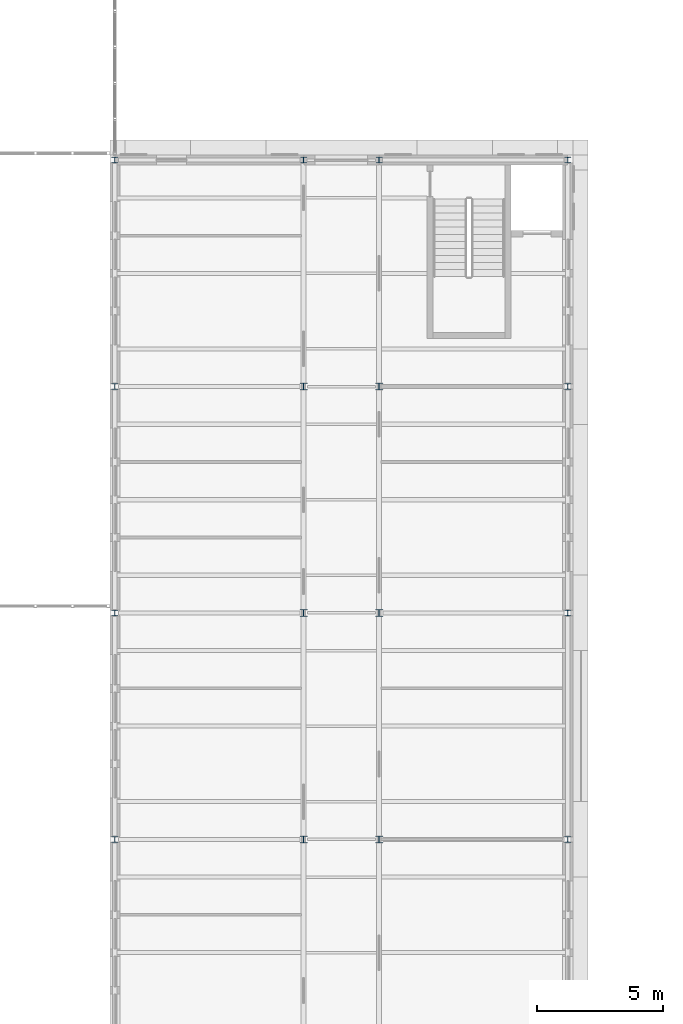
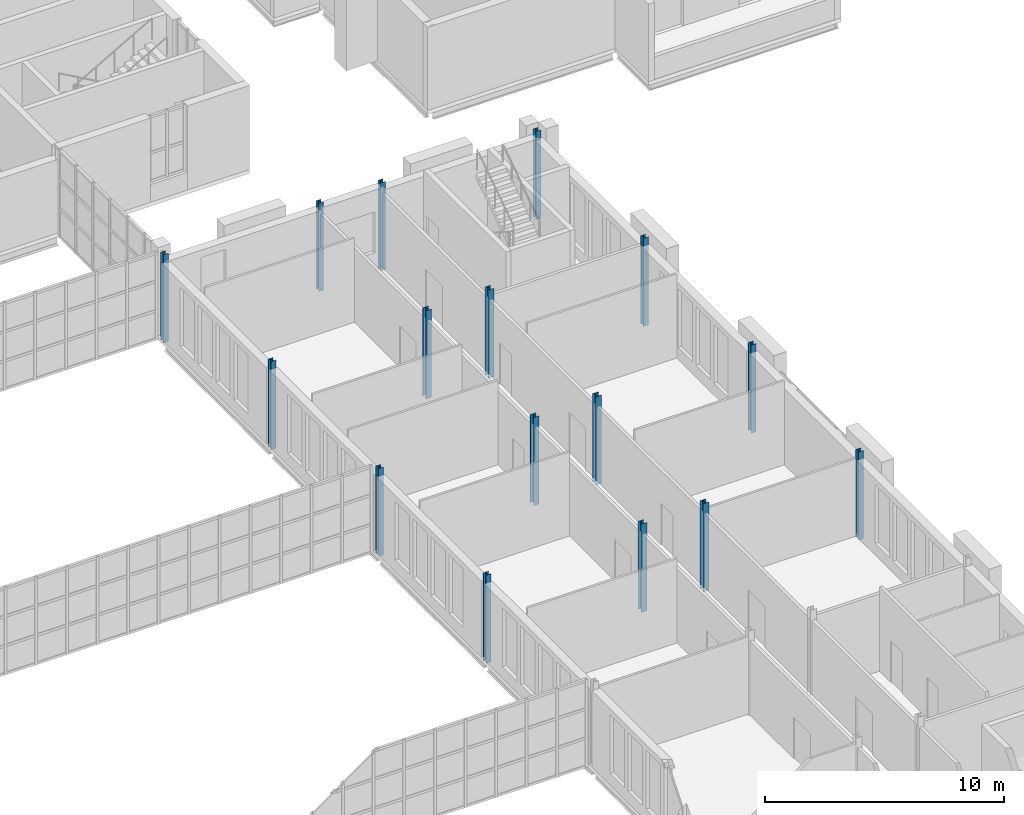
# One storey, part 8 of 131: 16 columns.
"""IFC4 building model written with IfcOpenShell, lengths in metres."""

import ifcopenshell
import ifcopenshell.guid

model = None  # the IFC model being written
_history = None  # IfcOwnerHistory: only IFC2X3 demands one
_inside = {}  # id of a spatial element -> (the spatial element, [elements in it])
_under = {}  # id of a project, library or spatial element -> (it, [spatial elements below it])
_declared = {}  # id of a project -> (the project, [libraries it declares])
_typed = {}  # id of a type object -> (the type object, [elements of that type])
_made_of = {}  # id of a material, layer set ... -> (it, [elements and type objects made of it])


def new_model(schema):
    """Start an empty IFC model of exactly this schema.

    Asked for "IFC4X3", IfcOpenShell would pick the latest addendum, in which some entities
    have other attributes; the version numbers below select the first issue.
    IFC2X3 requires an IfcOwnerHistory on every rooted entity: one is made here for all.
    """
    global model, _history
    if schema == "IFC4X3":
        model = ifcopenshell.file(schema_version=(4, 3, 0, 0))
    else:
        model = ifcopenshell.file(schema=schema)
    _inside.clear()
    _under.clear()
    _declared.clear()
    _typed.clear()
    _made_of.clear()
    _history = None
    if model.schema == "IFC2X3":
        org = make("IfcOrganization", Name="unknown")
        user = make(
            "IfcPersonAndOrganization",
            ThePerson=make("IfcPerson", FamilyName="unknown"),
            TheOrganization=org,
        )
        app = make(
            "IfcApplication",
            ApplicationDeveloper=org,
            Version="unknown",
            ApplicationFullName="unknown",
            ApplicationIdentifier="unknown",
        )
        _history = make(
            "IfcOwnerHistory",
            OwningUser=user,
            OwningApplication=app,
            ChangeAction="ADDED",
            CreationDate=0,
        )
    return model


def make(cls, **values):
    """One entity of the class cls with the attributes given. An attribute that is None is left unset."""
    return model.create_entity(
        cls, **{name: value for name, value in values.items() if value is not None}
    )


def rooted(cls, **values):
    """An entity with a GlobalId (a new one), such as an element, a storey or a relation."""
    return make(cls, GlobalId=ifcopenshell.guid.new(), OwnerHistory=_history, **values)


def si_unit(unit_type, name, prefix=None):
    """IfcSIUnit, for example si_unit("LENGTHUNIT", "METRE", prefix="MILLI")."""
    return make("IfcSIUnit", UnitType=unit_type, Prefix=prefix, Name=name)


def assignment(units):
    """IfcUnitAssignment: the units of a project."""
    return None if units is None else make("IfcUnitAssignment", Units=units)


def point(xyz):
    """IfcCartesianPoint."""
    return None if xyz is None else make("IfcCartesianPoint", Coordinates=xyz)


def direction(xyz):
    """IfcDirection."""
    return None if xyz is None else make("IfcDirection", DirectionRatios=xyz)


def frame(location, z_axis=None, x_axis=None):
    """IfcAxis2Placement3D, a coordinate frame: its origin and axes. An axis left out is left unset."""
    return make(
        "IfcAxis2Placement3D",
        Location=point(location),
        Axis=direction(z_axis),
        RefDirection=direction(x_axis),
    )


def frame_2d(location, x_axis=None):
    """IfcAxis2Placement2D, a coordinate frame in the plane: its origin and x axis."""
    return make(
        "IfcAxis2Placement2D", Location=point(location), RefDirection=direction(x_axis)
    )


def origin():
    """The frame at (0, 0, 0) with its axes left unset."""
    return frame((0.0, 0.0, 0.0))


def origin_2d():
    """The frame at (0, 0) in the plane with its x axis left unset."""
    return frame_2d((0.0, 0.0))


def place(relative_to, where):
    """IfcLocalPlacement: puts the frame where relative to a parent placement (None: the world)."""
    return make(
        "IfcLocalPlacement", PlacementRelTo=relative_to, RelativePlacement=where
    )


def context(
    kind, dimensions, precision=None, world=None, true_north=None, identifier=None
):
    """IfcGeometricRepresentationContext, for example the 3D "Model" context."""
    return make(
        "IfcGeometricRepresentationContext",
        ContextIdentifier=identifier,
        ContextType=kind,
        CoordinateSpaceDimension=dimensions,
        Precision=precision,
        WorldCoordinateSystem=world,
        TrueNorth=true_north,
    )


def subcontext(parent, identifier, kind, view, scale=None):
    """IfcGeometricRepresentationSubContext, for example "Body" below "Model"."""
    return make(
        "IfcGeometricRepresentationSubContext",
        ContextIdentifier=identifier,
        ContextType=kind,
        ParentContext=parent,
        TargetScale=scale,
        TargetView=view,
    )


def project(units=None, contexts=None):
    """IfcProject with its units and contexts."""
    return rooted(
        "IfcProject",
        Name="project",
        RepresentationContexts=contexts,
        UnitsInContext=assignment(units),
    )


def spatial(cls, under=None, at=None, **own):
    """A site, building, storey or space (cls), placed at a placement, below another one or the project."""
    s = rooted(cls, ObjectPlacement=at, **own)
    if under is not None:
        _under.setdefault(under.id(), (under, []))[1].append(s)
    return s


def profile(cls, at=None, kind="AREA", **sizes):
    """A parametric profile (cls). Its sizes go by their IFC names, for example OverallWidth=200.0."""
    return make(cls, ProfileType=kind, Position=at, **sizes)


def i_section(**sizes):
    """IfcIShapeProfileDef."""
    return profile("IfcIShapeProfileDef", **sizes)


def extrude(swept, where, along, depth):
    """IfcExtrudedAreaSolid: the profile swept, set in the frame where, extruded along a direction by depth."""
    return make(
        "IfcExtrudedAreaSolid",
        SweptArea=swept,
        Position=where,
        ExtrudedDirection=direction(along),
        Depth=depth,
    )


def shape(context_of_items, identifier, shape_type, items):
    """IfcShapeRepresentation: the items that make up one representation, for example the "Body"."""
    return make(
        "IfcShapeRepresentation",
        ContextOfItems=context_of_items,
        RepresentationIdentifier=identifier,
        RepresentationType=shape_type,
        Items=items,
    )


def material(Name=None, Category=None):
    """IfcMaterial."""
    return make("IfcMaterial", Name=Name, Category=Category)


def material_profile(
    of_material, cross_section, Name=None, Category=None, Priority=None
):
    """IfcMaterialProfile: a cross section and its material."""
    return make(
        "IfcMaterialProfile",
        Name=Name,
        Material=of_material,
        Profile=cross_section,
        Priority=Priority,
        Category=Category,
    )


def profile_set(profiles, Name=None, composite=None):
    """IfcMaterialProfileSet."""
    return make(
        "IfcMaterialProfileSet",
        Name=Name,
        MaterialProfiles=profiles,
        CompositeProfile=composite,
    )


def made_of(thing, what):
    """Note that an element or type object is made of a material, layer set ...; save() writes the relation."""
    if what is not None:
        _made_of.setdefault(what.id(), (what, []))[1].append(thing)
    return thing


def type_object(cls, material=None, **own):
    """A type object (cls), such as IfcWallType, which elements share."""
    return made_of(rooted(cls, **own), material)


def element(
    cls,
    number,
    at=None,
    inside=None,
    cuts=None,
    type_object=None,
    material=None,
    context=None,
    identifier="Body",
    shape_type=None,
    held_by="IfcProductDefinitionShape",
    body=None,
    shapes=None,
    **own,
):
    """One element of the class cls, such as IfcWall. Its Tag is "e" and its number.

    at: its placement. inside: the storey or other place that contains it. cuts: it is an
    opening in that element (IfcRelVoidsElement). A single representation is given by context,
    identifier, shape_type and body (its items); several are given by shapes. held_by: the class
    of the entity that holds the representations. save() writes the other relations.
    """
    e = rooted(cls, Tag="e%d" % number, ObjectPlacement=at, **own)
    if body is not None:
        shapes = [shape(context, identifier, shape_type, body)]
    if shapes is not None:
        e.Representation = make(held_by, Representations=shapes)
    if inside is not None:
        _inside.setdefault(inside.id(), (inside, []))[1].append(e)
    if cuts is not None:
        rooted(
            "IfcRelVoidsElement", RelatingBuildingElement=cuts, RelatedOpeningElement=e
        )
    if type_object is not None:
        _typed.setdefault(type_object.id(), (type_object, []))[1].append(e)
    return made_of(e, material)


def aggregate(whole, parts):
    """IfcRelAggregates: a whole, such as a stair, and the parts it consists of."""
    return rooted("IfcRelAggregates", RelatingObject=whole, RelatedObjects=parts)


def save(model, path):
    """Write the relations noted so far, then the file.

    IfcRelAggregates (storeys below a building ...), IfcRelContainedInSpatialStructure (elements
    in a storey), IfcRelDefinesByType, IfcRelAssociatesMaterial and IfcRelDeclares: one each for
    every whole, place, type object, material and project.
    """
    for whole, parts in _under.values():
        aggregate(whole, parts)
    for where, things in _inside.values():
        rooted(
            "IfcRelContainedInSpatialStructure",
            RelatedElements=things,
            RelatingStructure=where,
        )
    for kind, things in _typed.values():
        rooted("IfcRelDefinesByType", RelatedObjects=things, RelatingType=kind)
    for what, things in _made_of.values():
        rooted("IfcRelAssociatesMaterial", RelatedObjects=things, RelatingMaterial=what)
    for by, libraries in _declared.values():
        rooted("IfcRelDeclares", RelatingContext=by, RelatedDefinitions=libraries)
    model.write(path)


model = new_model("IFC4")

# Units and contexts
model_context = context("Model", 3, precision=1e-05, world=origin(), true_north=direction((0.0, 1.0)))
body_context = subcontext(model_context, "Body", "Model", "MODEL_VIEW")
ifc_project = project(units=[si_unit("LENGTHUNIT", "METRE"), si_unit("AREAUNIT", "SQUARE_METRE"), si_unit("VOLUMEUNIT", "CUBIC_METRE"), si_unit("PLANEANGLEUNIT", "RADIAN"), si_unit("MASSUNIT", "GRAM", prefix="KILO")], contexts=[model_context])

# Site, building, storey
site_placement = place(None, origin())
site = spatial("IfcSite", under=ifc_project, at=site_placement, CompositionType="ELEMENT")
building_placement = place(site_placement, origin())
building = spatial("IfcBuilding", under=site, at=building_placement, Name="Golden Quay Civic Hall", CompositionType="ELEMENT")
storey_placement = place(building_placement, frame((0.0, 0.0, 9.89990234375)))
storey = spatial("IfcBuildingStorey", under=building, at=storey_placement, Name="L02", CompositionType="ELEMENT", Elevation=9.89990234375)

# Columns
ifc_material_1 = material(Name="Steel S355", Category="steel")
ifc_material_profile_1 = material_profile(ifc_material_1, i_section(OverallWidth=0.239990234375, OverallDepth=0.22998046875, WebThickness=0.007568359375, FlangeThickness=0.011962890625, FilletRadius=0.02099609375, at=origin_2d()), Name="HEA 240")
ifc_profile_set_1 = profile_set([ifc_material_profile_1], Name="Steel S355")
column_type_1 = type_object("IfcColumnType", Name="Steel column HEA 240", PredefinedType="COLUMN", material=ifc_profile_set_1)
for number, where, z_axis, x_axis, name in (
    (1, (99.0, 27.0, -0.199951171875), (0.0, 0.0, 1.0), (1.0, 0.0, 0.0), "Column 99/27 L02"),
    (2, (99.0, 36.0, -0.199951171875), (0.0, 0.0, 1.0), (1.0, 0.0, 0.0), "Column 99/36 L02"),
    (3, (99.0, 45.0, -0.199951171875), (0.0, 0.0, 1.0), (1.0, 0.0, 0.0), "Column 99/45 L02"),
    (4, (99.0, 54.0, -0.199951171875), (0.0, 0.0, 1.0), (1.0, 0.0, 0.0), "Column 99/54 L02"),
    (5, (106.5, 54.0, -0.199951171875), (0.0, 0.0, 1.0), (1.0, 0.0, 0.0), "Column 106.5/54 L02"),
    (6, (109.5, 54.0, -0.199951171875), (0.0, 0.0, 1.0), (1.0, 0.0, 0.0), "Column 109.5/54 L02"),
    (7, (117.0, 27.0, -0.199951171875), (0.0, 0.0, 1.0), (1.0, 0.0, 0.0), "Column 117/27 L02"),
    (8, (117.0, 36.0, -0.199951171875), (0.0, 0.0, 1.0), (1.0, 0.0, 0.0), "Column 117/36 L02"),
    (9, (117.0, 45.0, -0.199951171875), (0.0, 0.0, 1.0), (1.0, 0.0, 0.0), "Column 117/45 L02"),
    (10, (117.0, 54.0, -0.199951171875), (0.0, 0.0, 1.0), (1.0, 0.0, 0.0), "Column 117/54 L02"),
):
    element("IfcColumn", number, at=place(storey_placement, frame(where, z_axis=z_axis, x_axis=x_axis)), inside=storey, type_object=column_type_1, Name=name, PredefinedType="COLUMN", context=body_context, shape_type="SweptSolid", body=[
        extrude(i_section(OverallWidth=0.239990234375, OverallDepth=0.22998046875, WebThickness=0.007568359375, FlangeThickness=0.011962890625, FilletRadius=0.02099609375, at=origin_2d()), origin(), (0.0, 0.0, 1.0), 4.5),
    ])
ifc_material_2 = material(Name="Steel S355", Category="steel")
ifc_material_profile_2 = material_profile(ifc_material_2, i_section(OverallWidth=0.280029296875, OverallDepth=0.27001953125, WebThickness=0.008056640625, FlangeThickness=0.012939453125, FilletRadius=0.02392578125, at=origin_2d()), Name="HEA 280")
ifc_profile_set_2 = profile_set([ifc_material_profile_2], Name="Steel S355")
column_type_2 = type_object("IfcColumnType", Name="Steel column HEA 280", PredefinedType="COLUMN", material=ifc_profile_set_2)
for number, where, z_axis, x_axis, name in (
    (11, (106.5, 27.0, -0.199951171875), (0.0, 0.0, 1.0), (1.0, 0.0, 0.0), "Column 106.5/27 L02"),
    (12, (106.5, 36.0, -0.199951171875), (0.0, 0.0, 1.0), (1.0, 0.0, 0.0), "Column 106.5/36 L02"),
    (13, (106.5, 45.0, -0.199951171875), (0.0, 0.0, 1.0), (1.0, 0.0, 0.0), "Column 106.5/45 L02"),
    (14, (109.5, 27.0, -0.199951171875), (0.0, 0.0, 1.0), (1.0, 0.0, 0.0), "Column 109.5/27 L02"),
    (15, (109.5, 36.0, -0.199951171875), (0.0, 0.0, 1.0), (1.0, 0.0, 0.0), "Column 109.5/36 L02"),
    (16, (109.5, 45.0, -0.199951171875), (0.0, 0.0, 1.0), (1.0, 0.0, 0.0), "Column 109.5/45 L02"),
):
    element("IfcColumn", number, at=place(storey_placement, frame(where, z_axis=z_axis, x_axis=x_axis)), inside=storey, type_object=column_type_2, Name=name, PredefinedType="COLUMN", context=body_context, shape_type="SweptSolid", body=[
        extrude(i_section(OverallWidth=0.280029296875, OverallDepth=0.27001953125, WebThickness=0.008056640625, FlangeThickness=0.012939453125, FilletRadius=0.02392578125, at=origin_2d()), origin(), (0.0, 0.0, 1.0), 4.5),
    ])

save(model, "model.ifc")
